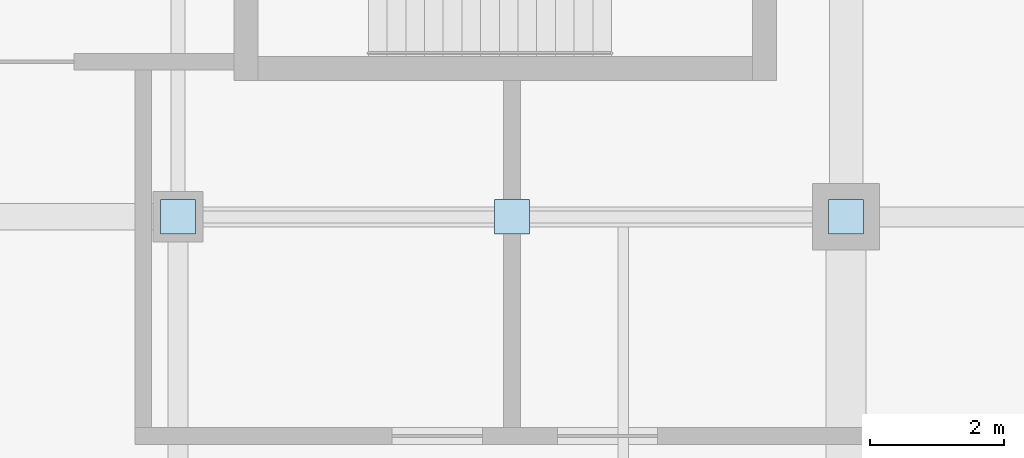
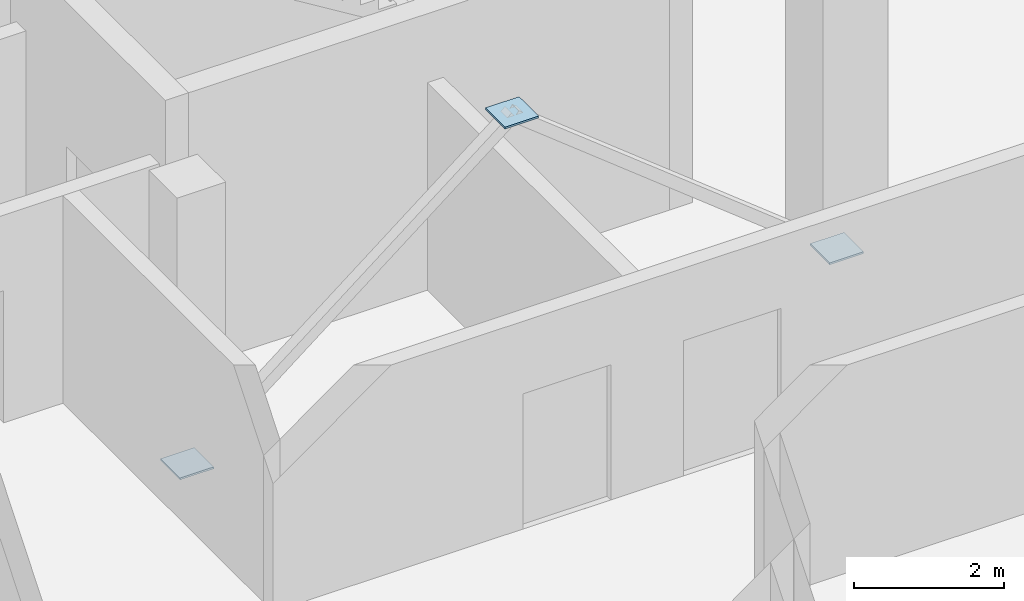
# One storey, part 97 of 121: 3 plates.
"""IFC4 building model written with IfcOpenShell, lengths in metres."""

from ifc_helpers import new_model, si_unit, direction, frame, origin, origin_2d, place, context, subcontext, project, spatial, rectangle, extrude, material, layer, layer_set, type_object, element, save


model = new_model("IFC4")

# Units and contexts
model_context = context("Model", 3, precision=1e-05, world=origin(), true_north=direction((0.0, 1.0)))
body_context = subcontext(model_context, "Body", "Model", "MODEL_VIEW")
ifc_project = project(units=[si_unit("LENGTHUNIT", "METRE"), si_unit("AREAUNIT", "SQUARE_METRE"), si_unit("VOLUMEUNIT", "CUBIC_METRE"), si_unit("PLANEANGLEUNIT", "RADIAN"), si_unit("MASSUNIT", "GRAM", prefix="KILO")], contexts=[model_context])

# Site, building, storey
site_placement = place(None, origin())
site = spatial("IfcSite", under=ifc_project, at=site_placement, CompositionType="ELEMENT")
building_placement = place(site_placement, origin())
building = spatial("IfcBuilding", under=site, at=building_placement, Name="Zereglee Splitstone Museum", CompositionType="ELEMENT")
storey_placement = place(building_placement, origin())
storey = spatial("IfcBuildingStorey", under=building, at=storey_placement, Name="L00", CompositionType="ELEMENT", Elevation=0.0)

# Plates
ifc_material = material(Name="Steel S355J2", Category="steel")
ifc_layer = layer(ifc_material, 0.030029296875)
ifc_layer_set = layer_set([ifc_layer], Name="Steel S355J2")
plate_type = type_object("IfcPlateType", Name="NP-04", PredefinedType="SHEET", material=ifc_layer_set)
for number, where, z_axis, x_axis, name in (
    (1, (306.0, 50.39990234375, 0.10498046875), (0.0, 0.0, 1.0), (1.0, 0.0, 0.0), "CBF Brace Gusset Cap L00-022"),
    (2, (316.0, 50.39990234375, 0.10498046875), (0.0, 0.0, 1.0), (1.0, 0.0, 0.0), "CBF Brace Gusset Cap L00-022"),
    (3, (311.0, 50.39990234375, 4.06494140625), (0.0, 0.0, 1.0), (1.0, 0.0, 0.0), "CBF Brace Gusset Cap L00-022"),
):
    element("IfcPlate", number, at=place(storey_placement, frame(where, z_axis=z_axis, x_axis=x_axis)), inside=storey, type_object=plate_type, Name=name, PredefinedType="SHEET", context=body_context, shape_type="SweptSolid", body=[
        extrude(rectangle(XDim=0.52001953125, YDim=0.52001953125, at=origin_2d()), origin(), (0.0, 0.0, 1.0), 0.030029296875),
    ])

save(model, "model.ifc")
